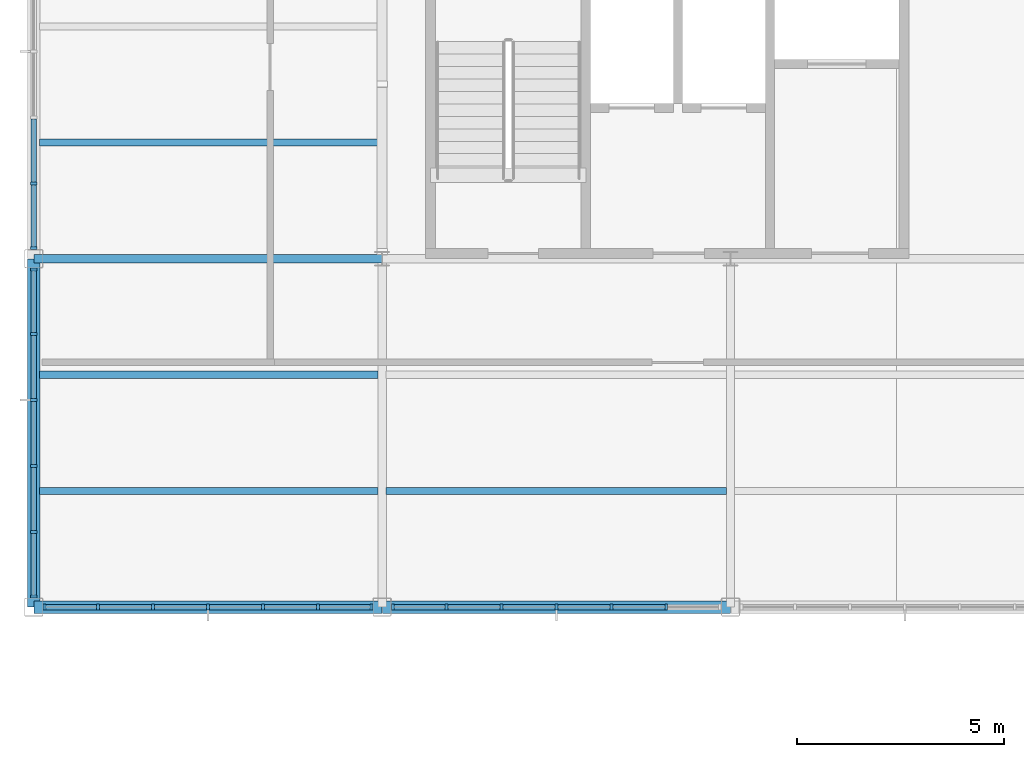
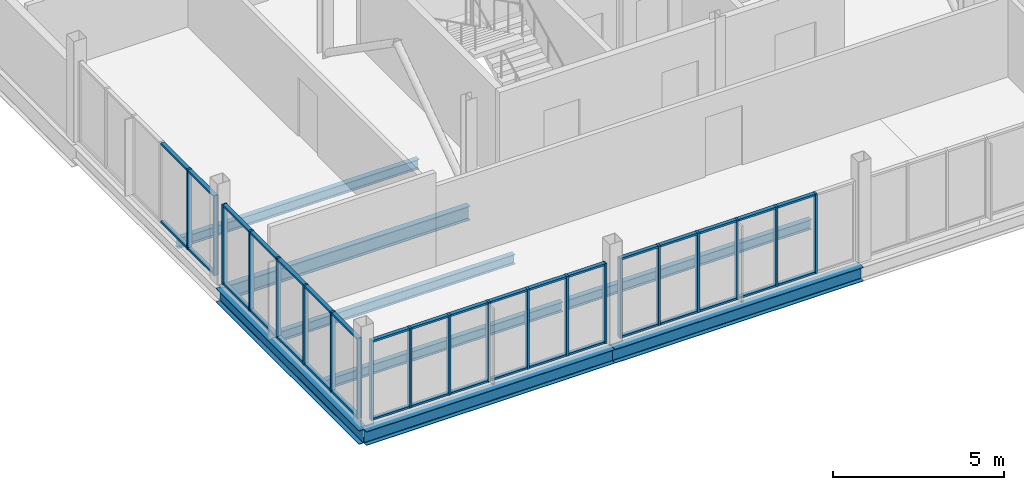
# One storey, part 4 of 16: 57 members, 8 beams, 4 elements without a shape of their own.
"""IFC4 building model written with IfcOpenShell, lengths in metres."""

from ifc_helpers import new_model, si_unit, direction, frame, origin, origin_2d, place, context, subcontext, project, spatial, rectangle, i_section, extrude, material, layer, layer_set, material_profile, profile_set, type_object, element, aggregate, save


model = new_model("IFC4")

# Units and contexts
model_context = context("Model", 3, precision=1e-05, world=origin(), true_north=direction((0.0, 1.0)))
body_context = subcontext(model_context, "Body", "Model", "MODEL_VIEW")
ifc_project = project(units=[si_unit("LENGTHUNIT", "METRE"), si_unit("AREAUNIT", "SQUARE_METRE"), si_unit("VOLUMEUNIT", "CUBIC_METRE"), si_unit("PLANEANGLEUNIT", "RADIAN"), si_unit("MASSUNIT", "GRAM", prefix="KILO")], contexts=[model_context])

# Site, building, storey
site_placement = place(None, origin())
site = spatial("IfcSite", under=ifc_project, at=site_placement, CompositionType="ELEMENT")
building_placement = place(site_placement, origin())
building = spatial("IfcBuilding", under=site, at=building_placement, Name="Yukiwa Park Conservatory and Herbarium", CompositionType="ELEMENT")
storey_placement = place(building_placement, frame((0.0, 0.0, 43.199951171875)))
storey = spatial("IfcBuildingStorey", under=building, at=storey_placement, Name="L11", CompositionType="ELEMENT", Elevation=43.199951171875)

# Beams
ifc_material_1 = material(Name="Steel Q355D", Category="steel")
ifc_material_profile_1 = material_profile(ifc_material_1, i_section(OverallWidth=0.199951171875, OverallDepth=0.5, WebThickness=0.010009765625, FlangeThickness=0.01611328125, FilletRadius=0.02001953125, at=origin_2d()), Name="HN 500x200x10x16")
ifc_profile_set_1 = profile_set([ifc_material_profile_1], Name="Steel Q355D")
beam_type_1 = type_object("IfcBeamType", Name="BM-GRD-HN500", PredefinedType="BEAM", material=ifc_profile_set_1)
beam_1_placement = place(storey_placement, frame((124.805908203125, 94.800048828125, -0.508056640625), z_axis=(1.0, 0.0, 0.0), x_axis=(0.0, 1.0, 0.0)))
element("IfcBeam", 1, at=beam_1_placement, inside=storey, type_object=beam_type_1, Name="L11 grid beam X-8", PredefinedType="BEAM", context=body_context, shape_type="SweptSolid", body=[
    extrude(i_section(OverallWidth=0.199951171875, OverallDepth=0.5, WebThickness=0.010009765625, FlangeThickness=0.01611328125, FilletRadius=0.02001953125, at=origin_2d()), origin(), (0.0, 0.0, 1.0), 8.38818359375),
])
ifc_material_2 = material(Name="Steel Q355D", Category="steel")
ifc_material_profile_2 = material_profile(ifc_material_2, i_section(OverallWidth=0.175048828125, OverallDepth=0.35009765625, WebThickness=0.007080078125, FlangeThickness=0.010986328125, FilletRadius=0.013916015625, at=origin_2d()), Name="HN 350x175x7x11")
ifc_profile_set_2 = profile_set([ifc_material_profile_2], Name="Steel Q355D")
beam_type_2 = type_object("IfcBeamType", Name="BM-JST-HN350", PredefinedType="JOIST", material=ifc_profile_set_2)
for number, where, z_axis, x_axis, name in (
    (2, (124.946044921875, 89.199951171875, -0.432861328125), (1.0, 0.0, 0.0), (0.0, 1.0, 0.0), "L11 composite floor joist 1"),
    (3, (124.946044921875, 92.0, -0.432861328125), (1.0, 0.0, 0.0), (0.0, 1.0, 0.0), "L11 composite floor joist 2"),
    (4, (124.946044921875, 97.60009765625, -0.432861328125), (1.0, 0.0, 0.0), (0.0, 1.0, 0.0), "L11 composite floor joist 3"),
):
    element("IfcBeam", number, at=place(storey_placement, frame(where, z_axis=z_axis, x_axis=x_axis)), inside=storey, type_object=beam_type_2, Name=name, PredefinedType="JOIST", context=body_context, shape_type="SweptSolid", body=[
        extrude(i_section(OverallWidth=0.175048828125, OverallDepth=0.35009765625, WebThickness=0.007080078125, FlangeThickness=0.010986328125, FilletRadius=0.013916015625, at=origin_2d()), origin(), (0.0, 0.0, 1.0), 8.157958984375),
    ])
beam_2_placement = place(storey_placement, frame((133.2958984375, 89.199951171875, -0.432861328125), z_axis=(1.0, 0.0, 0.0), x_axis=(0.0, 1.0, 0.0)))
element("IfcBeam", 5, at=beam_2_placement, inside=storey, type_object=beam_type_2, Name="L11 composite floor joist 7", PredefinedType="JOIST", context=body_context, shape_type="SweptSolid", body=[
    extrude(i_section(OverallWidth=0.175048828125, OverallDepth=0.35009765625, WebThickness=0.007080078125, FlangeThickness=0.010986328125, FilletRadius=0.013916015625, at=origin_2d()), origin(), (0.0, 0.0, 1.0), 8.2080078125),
])
ifc_material_3 = material(Name="Steel Q355D", Category="steel")
ifc_material_profile_3 = material_profile(ifc_material_3, i_section(OverallWidth=0.300048828125, OverallDepth=0.5, WebThickness=0.010986328125, FlangeThickness=0.01806640625, FilletRadius=0.02392578125, at=origin_2d()), Name="HM 500x300x11x18")
ifc_profile_set_3 = profile_set([ifc_material_profile_3], Name="Steel Q355D")
beam_type_3 = type_object("IfcBeamType", Name="BM-SPN-HN500", PredefinedType="SPANDREL", material=ifc_profile_set_3)
beam_3_placement = place(storey_placement, frame((124.805908203125, 86.39990234375, -0.508056640625), z_axis=(1.0, 0.0, 0.0), x_axis=(0.0, 1.0, 0.0)))
element("IfcBeam", 6, at=beam_3_placement, inside=storey, type_object=beam_type_3, Name="L11 spandrel beam X-3", PredefinedType="SPANDREL", context=body_context, shape_type="SweptSolid", body=[
    extrude(i_section(OverallWidth=0.300048828125, OverallDepth=0.5, WebThickness=0.010986328125, FlangeThickness=0.01806640625, FilletRadius=0.02392578125, at=origin_2d()), origin(), (0.0, 0.0, 1.0), 8.38818359375),
])
for number, where, z_axis, x_axis, name in (
    (7, (133.2060546875, 86.39990234375, -0.508056640625), (1.0, 0.0, 0.0), (0.0, 1.0, 0.0), "L11 spandrel beam X-4"),
    (8, (124.800048828125, 86.406005859375, -0.508056640625), (0.0, 1.0, 0.0), (-1.0, 0.0, 0.0), "L11 spandrel girder Y-23"),
):
    element("IfcBeam", number, at=place(storey_placement, frame(where, z_axis=z_axis, x_axis=x_axis)), inside=storey, type_object=beam_type_3, Name=name, PredefinedType="SPANDREL", context=body_context, shape_type="SweptSolid", body=[
        extrude(i_section(OverallWidth=0.300048828125, OverallDepth=0.5, WebThickness=0.010986328125, FlangeThickness=0.01806640625, FilletRadius=0.02392578125, at=origin_2d()), origin(), (0.0, 0.0, 1.0), 8.387939453125),
    ])

# Curtain wall, members
ifc_material_4 = material(Name="Triple Low-E Insulated Glass", Category="glass")
ifc_layer_1 = layer(ifc_material_4, 0.260009765625)
ifc_layer_set_1 = layer_set([ifc_layer_1], Name="Triple Low-E Insulated Glass")
curtain_wall_type_1 = type_object("IfcCurtainWallType", Name="CW-TOWER-LAB-W-1500", PredefinedType="NOTDEFINED", material=ifc_layer_set_1)
curtain_wall_1_placement = place(storey_placement, origin())
curtain_wall_1 = element("IfcCurtainWall", 9, at=curtain_wall_1_placement, inside=storey, type_object=curtain_wall_type_1, Name="L11 unitised curtain wall CW-L11-114", PredefinedType="NOTDEFINED")
ifc_material_5 = material(Name="Anodised Aluminium", Category="aluminium")
member_type_1 = type_object("IfcMemberType", Name="MB-CW-MUL-70X150", PredefinedType="MULLION", material=ifc_material_5)
member_1_placement = place(storey_placement, frame((124.800048828125, 96.614990234375, 0.0), z_axis=(0.0, 0.0, 1.0), x_axis=(0.0, -1.0, 0.0)))
member_1 = element("IfcMember", 10, at=member_1_placement, type_object=member_type_1, Name="CW-L11-114 mullion 5", PredefinedType="MULLION", context=body_context, shape_type="SweptSolid", body=[
    extrude(rectangle(XDim=0.070068359375, YDim=0.14990234375, at=origin_2d()), origin(), (0.0, 0.0, 1.0), 2.85400390625),
])
member_2_placement = place(storey_placement, frame((124.800048828125, 95.06005859375, 0.0), z_axis=(0.0, 0.0, 1.0), x_axis=(0.0, -1.0, 0.0)))
member_2 = element("IfcMember", 11, at=member_2_placement, type_object=member_type_1, Name="CW-L11-114 mullion 6", PredefinedType="MULLION", context=body_context, shape_type="SweptSolid", body=[
    extrude(rectangle(XDim=0.070068359375, YDim=0.14990234375, at=origin_2d()), origin(), (0.0, 0.0, 1.0), 2.85400390625),
])

curtain_wall_2_placement = place(storey_placement, origin())
curtain_wall_2 = element("IfcCurtainWall", 12, at=curtain_wall_2_placement, inside=storey, type_object=curtain_wall_type_1, Name="L11 unitised curtain wall CW-L11-115", PredefinedType="NOTDEFINED")
member_3_placement = place(storey_placement, frame((124.800048828125, 94.5400390625, 0.0), z_axis=(0.0, 0.0, 1.0), x_axis=(0.0, -1.0, 0.0)))
member_3 = element("IfcMember", 13, at=member_3_placement, type_object=member_type_1, Name="CW-L11-115 mullion 1", PredefinedType="MULLION", context=body_context, shape_type="SweptSolid", body=[
    extrude(rectangle(XDim=0.070068359375, YDim=0.14990234375, at=origin_2d()), origin(), (0.0, 0.0, 1.0), 2.85400390625),
])
member_4_placement = place(storey_placement, frame((124.800048828125, 92.985107421875, 0.0), z_axis=(0.0, 0.0, 1.0), x_axis=(0.0, -1.0, 0.0)))
member_4 = element("IfcMember", 14, at=member_4_placement, type_object=member_type_1, Name="CW-L11-115 mullion 2", PredefinedType="MULLION", context=body_context, shape_type="SweptSolid", body=[
    extrude(rectangle(XDim=0.070068359375, YDim=0.14990234375, at=origin_2d()), origin(), (0.0, 0.0, 1.0), 2.85400390625),
])
member_5_placement = place(storey_placement, frame((124.800048828125, 91.39501953125, 0.0), z_axis=(0.0, 0.0, 1.0), x_axis=(0.0, -1.0, 0.0)))
member_5 = element("IfcMember", 15, at=member_5_placement, type_object=member_type_1, Name="CW-L11-115 mullion 3", PredefinedType="MULLION", context=body_context, shape_type="SweptSolid", body=[
    extrude(rectangle(XDim=0.070068359375, YDim=0.14990234375, at=origin_2d()), origin(), (0.0, 0.0, 1.0), 2.85400390625),
])
member_6_placement = place(storey_placement, frame((124.800048828125, 89.804931640625, 0.0), z_axis=(0.0, 0.0, 1.0), x_axis=(0.0, -1.0, 0.0)))
member_6 = element("IfcMember", 16, at=member_6_placement, type_object=member_type_1, Name="CW-L11-115 mullion 4", PredefinedType="MULLION", context=body_context, shape_type="SweptSolid", body=[
    extrude(rectangle(XDim=0.070068359375, YDim=0.14990234375, at=origin_2d()), origin(), (0.0, 0.0, 1.0), 2.85400390625),
])
member_7_placement = place(storey_placement, frame((124.800048828125, 88.215087890625, 0.0), z_axis=(0.0, 0.0, 1.0), x_axis=(0.0, -1.0, 0.0)))
member_7 = element("IfcMember", 17, at=member_7_placement, type_object=member_type_1, Name="CW-L11-115 mullion 5", PredefinedType="MULLION", context=body_context, shape_type="SweptSolid", body=[
    extrude(rectangle(XDim=0.070068359375, YDim=0.14990234375, at=origin_2d()), origin(), (0.0, 0.0, 1.0), 2.85400390625),
])
member_8_placement = place(storey_placement, frame((124.800048828125, 86.659912109375, 0.0), z_axis=(0.0, 0.0, 1.0), x_axis=(0.0, -1.0, 0.0)))
member_8 = element("IfcMember", 18, at=member_8_placement, type_object=member_type_1, Name="CW-L11-115 mullion 6", PredefinedType="MULLION", context=body_context, shape_type="SweptSolid", body=[
    extrude(rectangle(XDim=0.070068359375, YDim=0.14990234375, at=origin_2d()), origin(), (0.0, 0.0, 1.0), 2.85400390625),
])

ifc_material_6 = material(Name="Triple Low-E Insulated Glass", Category="glass")
ifc_layer_2 = layer(ifc_material_6, 0.248046875)
ifc_layer_set_2 = layer_set([ifc_layer_2], Name="Triple Low-E Insulated Glass")
curtain_wall_type_2 = type_object("IfcCurtainWallType", Name="CW-TOWER-LAB-S-1400", PredefinedType="NOTDEFINED", material=ifc_layer_set_2)
curtain_wall_3_placement = place(storey_placement, origin())
curtain_wall_3 = element("IfcCurtainWall", 19, at=curtain_wall_3_placement, inside=storey, type_object=curtain_wall_type_2, Name="L11 unitised curtain wall CW-L11-116", PredefinedType="NOTDEFINED")
member_9_placement = place(storey_placement, frame((125.06005859375, 86.39990234375, 0.0), z_axis=(0.0, 0.0, 1.0), x_axis=(1.0, 0.0, 0.0)))
member_9 = element("IfcMember", 20, at=member_9_placement, type_object=member_type_1, Name="CW-L11-116 mullion 1", PredefinedType="MULLION", context=body_context, shape_type="SweptSolid", body=[
    extrude(rectangle(XDim=0.070068359375, YDim=0.14990234375, at=origin_2d()), origin(), (0.0, 0.0, 1.0), 2.85400390625),
])
member_10_placement = place(storey_placement, frame((126.35009765625, 86.39990234375, 0.0), z_axis=(0.0, 0.0, 1.0), x_axis=(1.0, 0.0, 0.0)))
member_10 = element("IfcMember", 21, at=member_10_placement, type_object=member_type_1, Name="CW-L11-116 mullion 2", PredefinedType="MULLION", context=body_context, shape_type="SweptSolid", body=[
    extrude(rectangle(XDim=0.070068359375, YDim=0.14990234375, at=origin_2d()), origin(), (0.0, 0.0, 1.0), 2.85400390625),
])
member_11_placement = place(storey_placement, frame((127.675048828125, 86.39990234375, 0.0), z_axis=(0.0, 0.0, 1.0), x_axis=(1.0, 0.0, 0.0)))
member_11 = element("IfcMember", 22, at=member_11_placement, type_object=member_type_1, Name="CW-L11-116 mullion 3", PredefinedType="MULLION", context=body_context, shape_type="SweptSolid", body=[
    extrude(rectangle(XDim=0.070068359375, YDim=0.14990234375, at=origin_2d()), origin(), (0.0, 0.0, 1.0), 2.85400390625),
])
member_12_placement = place(storey_placement, frame((129.0, 86.39990234375, 0.0), z_axis=(0.0, 0.0, 1.0), x_axis=(1.0, 0.0, 0.0)))
member_12 = element("IfcMember", 23, at=member_12_placement, type_object=member_type_1, Name="CW-L11-116 mullion 4", PredefinedType="MULLION", context=body_context, shape_type="SweptSolid", body=[
    extrude(rectangle(XDim=0.070068359375, YDim=0.14990234375, at=origin_2d()), origin(), (0.0, 0.0, 1.0), 2.85400390625),
])
member_13_placement = place(storey_placement, frame((130.324951171875, 86.39990234375, 0.0), z_axis=(0.0, 0.0, 1.0), x_axis=(1.0, 0.0, 0.0)))
member_13 = element("IfcMember", 24, at=member_13_placement, type_object=member_type_1, Name="CW-L11-116 mullion 5", PredefinedType="MULLION", context=body_context, shape_type="SweptSolid", body=[
    extrude(rectangle(XDim=0.070068359375, YDim=0.14990234375, at=origin_2d()), origin(), (0.0, 0.0, 1.0), 2.85400390625),
])
member_14_placement = place(storey_placement, frame((131.64990234375, 86.39990234375, 0.0), z_axis=(0.0, 0.0, 1.0), x_axis=(1.0, 0.0, 0.0)))
member_14 = element("IfcMember", 25, at=member_14_placement, type_object=member_type_1, Name="CW-L11-116 mullion 6", PredefinedType="MULLION", context=body_context, shape_type="SweptSolid", body=[
    extrude(rectangle(XDim=0.070068359375, YDim=0.14990234375, at=origin_2d()), origin(), (0.0, 0.0, 1.0), 2.85400390625),
])
member_15_placement = place(storey_placement, frame((132.93994140625, 86.39990234375, 0.0), z_axis=(0.0, 0.0, 1.0), x_axis=(1.0, 0.0, 0.0)))
member_15 = element("IfcMember", 26, at=member_15_placement, type_object=member_type_1, Name="CW-L11-116 mullion 7", PredefinedType="MULLION", context=body_context, shape_type="SweptSolid", body=[
    extrude(rectangle(XDim=0.070068359375, YDim=0.14990234375, at=origin_2d()), origin(), (0.0, 0.0, 1.0), 2.85400390625),
])

curtain_wall_4_placement = place(storey_placement, origin())
curtain_wall_4 = element("IfcCurtainWall", 27, at=curtain_wall_4_placement, inside=storey, type_object=curtain_wall_type_2, Name="L11 unitised curtain wall CW-L11-117", PredefinedType="NOTDEFINED")
member_16_placement = place(storey_placement, frame((133.4599609375, 86.39990234375, 0.0), z_axis=(0.0, 0.0, 1.0), x_axis=(1.0, 0.0, 0.0)))
member_16 = element("IfcMember", 28, at=member_16_placement, type_object=member_type_1, Name="CW-L11-117 mullion 1", PredefinedType="MULLION", context=body_context, shape_type="SweptSolid", body=[
    extrude(rectangle(XDim=0.070068359375, YDim=0.14990234375, at=origin_2d()), origin(), (0.0, 0.0, 1.0), 2.85400390625),
])
member_17_placement = place(storey_placement, frame((134.75, 86.39990234375, 0.0), z_axis=(0.0, 0.0, 1.0), x_axis=(1.0, 0.0, 0.0)))
member_17 = element("IfcMember", 29, at=member_17_placement, type_object=member_type_1, Name="CW-L11-117 mullion 2", PredefinedType="MULLION", context=body_context, shape_type="SweptSolid", body=[
    extrude(rectangle(XDim=0.070068359375, YDim=0.14990234375, at=origin_2d()), origin(), (0.0, 0.0, 1.0), 2.85400390625),
])
member_18_placement = place(storey_placement, frame((136.074951171875, 86.39990234375, 0.0), z_axis=(0.0, 0.0, 1.0), x_axis=(1.0, 0.0, 0.0)))
member_18 = element("IfcMember", 30, at=member_18_placement, type_object=member_type_1, Name="CW-L11-117 mullion 3", PredefinedType="MULLION", context=body_context, shape_type="SweptSolid", body=[
    extrude(rectangle(XDim=0.070068359375, YDim=0.14990234375, at=origin_2d()), origin(), (0.0, 0.0, 1.0), 2.85400390625),
])
member_19_placement = place(storey_placement, frame((137.39990234375, 86.39990234375, 0.0), z_axis=(0.0, 0.0, 1.0), x_axis=(1.0, 0.0, 0.0)))
member_19 = element("IfcMember", 31, at=member_19_placement, type_object=member_type_1, Name="CW-L11-117 mullion 4", PredefinedType="MULLION", context=body_context, shape_type="SweptSolid", body=[
    extrude(rectangle(XDim=0.070068359375, YDim=0.14990234375, at=origin_2d()), origin(), (0.0, 0.0, 1.0), 2.85400390625),
])
member_20_placement = place(storey_placement, frame((138.72509765625, 86.39990234375, 0.0), z_axis=(0.0, 0.0, 1.0), x_axis=(1.0, 0.0, 0.0)))
member_20 = element("IfcMember", 32, at=member_20_placement, type_object=member_type_1, Name="CW-L11-117 mullion 5", PredefinedType="MULLION", context=body_context, shape_type="SweptSolid", body=[
    extrude(rectangle(XDim=0.070068359375, YDim=0.14990234375, at=origin_2d()), origin(), (0.0, 0.0, 1.0), 2.85400390625),
])
member_21_placement = place(storey_placement, frame((140.050048828125, 86.39990234375, 0.0), z_axis=(0.0, 0.0, 1.0), x_axis=(1.0, 0.0, 0.0)))
member_21 = element("IfcMember", 33, at=member_21_placement, type_object=member_type_1, Name="CW-L11-117 mullion 6", PredefinedType="MULLION", context=body_context, shape_type="SweptSolid", body=[
    extrude(rectangle(XDim=0.070068359375, YDim=0.14990234375, at=origin_2d()), origin(), (0.0, 0.0, 1.0), 2.85400390625),
])

# Member
ifc_material_7 = material(Name="Anodised Aluminium", Category="aluminium")
member_type_2 = type_object("IfcMemberType", Name="MB-CW-TRN-70X130", PredefinedType="USERDEFINED", material=ifc_material_7)
member_22_placement = place(storey_placement, frame((124.800048828125, 97.409912109375, 0.0), z_axis=(0.0, 0.0, 1.0), x_axis=(0.0, -1.0, 0.0)))
member_22 = element("IfcMember", 34, at=member_22_placement, type_object=member_type_2, Name="CW-L11-114 transom 4.1", ObjectType="TRANSOM", PredefinedType="USERDEFINED", context=body_context, shape_type="SweptSolid", body=[
    extrude(rectangle(XDim=1.52001953125, YDim=0.1298828125, at=origin_2d()), origin(), (0.0, 0.0, 1.0), 0.070068359375),
])

member_23_placement = place(storey_placement, frame((124.800048828125, 97.409912109375, 2.7841796875), z_axis=(0.0, 0.0, 1.0), x_axis=(0.0, -1.0, 0.0)))
member_23 = element("IfcMember", 35, at=member_23_placement, type_object=member_type_2, Name="CW-L11-114 transom 4.2", ObjectType="TRANSOM", PredefinedType="USERDEFINED", context=body_context, shape_type="SweptSolid", body=[
    extrude(rectangle(XDim=1.52001953125, YDim=0.1298828125, at=origin_2d()), origin(), (0.0, 0.0, 1.0), 0.070068359375),
])

member_24_placement = place(storey_placement, frame((124.800048828125, 95.820068359375, 0.0), z_axis=(0.0, 0.0, 1.0), x_axis=(0.0, -1.0, 0.0)))
member_24 = element("IfcMember", 36, at=member_24_placement, type_object=member_type_2, Name="CW-L11-114 transom 5.1", ObjectType="TRANSOM", PredefinedType="USERDEFINED", context=body_context, shape_type="SweptSolid", body=[
    extrude(rectangle(XDim=1.52001953125, YDim=0.1298828125, at=origin_2d()), origin(), (0.0, 0.0, 1.0), 0.070068359375),
])

member_25_placement = place(storey_placement, frame((124.800048828125, 95.820068359375, 2.7841796875), z_axis=(0.0, 0.0, 1.0), x_axis=(0.0, -1.0, 0.0)))
member_25 = element("IfcMember", 37, at=member_25_placement, type_object=member_type_2, Name="CW-L11-114 transom 5.2", ObjectType="TRANSOM", PredefinedType="USERDEFINED", context=body_context, shape_type="SweptSolid", body=[
    extrude(rectangle(XDim=1.52001953125, YDim=0.1298828125, at=origin_2d()), origin(), (0.0, 0.0, 1.0), 0.070068359375),
])

aggregate(curtain_wall_1, [member_1, member_2, member_22, member_23, member_24, member_25])

member_26_placement = place(storey_placement, frame((124.800048828125, 93.780029296875, 0.0), z_axis=(0.0, 0.0, 1.0), x_axis=(0.0, -1.0, 0.0)))
member_26 = element("IfcMember", 38, at=member_26_placement, type_object=member_type_2, Name="CW-L11-115 transom 1.1", ObjectType="TRANSOM", PredefinedType="USERDEFINED", context=body_context, shape_type="SweptSolid", body=[
    extrude(rectangle(XDim=1.52001953125, YDim=0.1298828125, at=origin_2d()), origin(), (0.0, 0.0, 1.0), 0.070068359375),
])

member_27_placement = place(storey_placement, frame((124.800048828125, 93.780029296875, 2.7841796875), z_axis=(0.0, 0.0, 1.0), x_axis=(0.0, -1.0, 0.0)))
member_27 = element("IfcMember", 39, at=member_27_placement, type_object=member_type_2, Name="CW-L11-115 transom 1.2", ObjectType="TRANSOM", PredefinedType="USERDEFINED", context=body_context, shape_type="SweptSolid", body=[
    extrude(rectangle(XDim=1.52001953125, YDim=0.1298828125, at=origin_2d()), origin(), (0.0, 0.0, 1.0), 0.070068359375),
])

member_28_placement = place(storey_placement, frame((124.800048828125, 92.18994140625, 0.0), z_axis=(0.0, 0.0, 1.0), x_axis=(0.0, -1.0, 0.0)))
member_28 = element("IfcMember", 40, at=member_28_placement, type_object=member_type_2, Name="CW-L11-115 transom 2.1", ObjectType="TRANSOM", PredefinedType="USERDEFINED", context=body_context, shape_type="SweptSolid", body=[
    extrude(rectangle(XDim=1.52001953125, YDim=0.1298828125, at=origin_2d()), origin(), (0.0, 0.0, 1.0), 0.070068359375),
])

member_29_placement = place(storey_placement, frame((124.800048828125, 92.18994140625, 2.7841796875), z_axis=(0.0, 0.0, 1.0), x_axis=(0.0, -1.0, 0.0)))
member_29 = element("IfcMember", 41, at=member_29_placement, type_object=member_type_2, Name="CW-L11-115 transom 2.2", ObjectType="TRANSOM", PredefinedType="USERDEFINED", context=body_context, shape_type="SweptSolid", body=[
    extrude(rectangle(XDim=1.52001953125, YDim=0.1298828125, at=origin_2d()), origin(), (0.0, 0.0, 1.0), 0.070068359375),
])

member_30_placement = place(storey_placement, frame((124.800048828125, 90.60009765625, 0.0), z_axis=(0.0, 0.0, 1.0), x_axis=(0.0, -1.0, 0.0)))
member_30 = element("IfcMember", 42, at=member_30_placement, type_object=member_type_2, Name="CW-L11-115 transom 3.1", ObjectType="TRANSOM", PredefinedType="USERDEFINED", context=body_context, shape_type="SweptSolid", body=[
    extrude(rectangle(XDim=1.52001953125, YDim=0.1298828125, at=origin_2d()), origin(), (0.0, 0.0, 1.0), 0.070068359375),
])

member_31_placement = place(storey_placement, frame((124.800048828125, 90.60009765625, 2.7841796875), z_axis=(0.0, 0.0, 1.0), x_axis=(0.0, -1.0, 0.0)))
member_31 = element("IfcMember", 43, at=member_31_placement, type_object=member_type_2, Name="CW-L11-115 transom 3.2", ObjectType="TRANSOM", PredefinedType="USERDEFINED", context=body_context, shape_type="SweptSolid", body=[
    extrude(rectangle(XDim=1.52001953125, YDim=0.1298828125, at=origin_2d()), origin(), (0.0, 0.0, 1.0), 0.070068359375),
])

member_32_placement = place(storey_placement, frame((124.800048828125, 89.010009765625, 0.0), z_axis=(0.0, 0.0, 1.0), x_axis=(0.0, -1.0, 0.0)))
member_32 = element("IfcMember", 44, at=member_32_placement, type_object=member_type_2, Name="CW-L11-115 transom 4.1", ObjectType="TRANSOM", PredefinedType="USERDEFINED", context=body_context, shape_type="SweptSolid", body=[
    extrude(rectangle(XDim=1.52001953125, YDim=0.1298828125, at=origin_2d()), origin(), (0.0, 0.0, 1.0), 0.070068359375),
])

member_33_placement = place(storey_placement, frame((124.800048828125, 89.010009765625, 2.7841796875), z_axis=(0.0, 0.0, 1.0), x_axis=(0.0, -1.0, 0.0)))
member_33 = element("IfcMember", 45, at=member_33_placement, type_object=member_type_2, Name="CW-L11-115 transom 4.2", ObjectType="TRANSOM", PredefinedType="USERDEFINED", context=body_context, shape_type="SweptSolid", body=[
    extrude(rectangle(XDim=1.52001953125, YDim=0.1298828125, at=origin_2d()), origin(), (0.0, 0.0, 1.0), 0.070068359375),
])

member_34_placement = place(storey_placement, frame((124.800048828125, 87.419921875, 0.0), z_axis=(0.0, 0.0, 1.0), x_axis=(0.0, -1.0, 0.0)))
member_34 = element("IfcMember", 46, at=member_34_placement, type_object=member_type_2, Name="CW-L11-115 transom 5.1", ObjectType="TRANSOM", PredefinedType="USERDEFINED", context=body_context, shape_type="SweptSolid", body=[
    extrude(rectangle(XDim=1.52001953125, YDim=0.1298828125, at=origin_2d()), origin(), (0.0, 0.0, 1.0), 0.070068359375),
])

member_35_placement = place(storey_placement, frame((124.800048828125, 87.419921875, 2.7841796875), z_axis=(0.0, 0.0, 1.0), x_axis=(0.0, -1.0, 0.0)))
member_35 = element("IfcMember", 47, at=member_35_placement, type_object=member_type_2, Name="CW-L11-115 transom 5.2", ObjectType="TRANSOM", PredefinedType="USERDEFINED", context=body_context, shape_type="SweptSolid", body=[
    extrude(rectangle(XDim=1.52001953125, YDim=0.1298828125, at=origin_2d()), origin(), (0.0, 0.0, 1.0), 0.070068359375),
])

aggregate(curtain_wall_2, [member_3, member_4, member_5, member_6, member_7, member_8, member_26, member_27, member_28, member_29, member_30, member_31, member_32, member_33, member_34, member_35])

member_36_placement = place(storey_placement, frame((125.6875, 86.39990234375, 0.0), z_axis=(0.0, 0.0, 1.0), x_axis=(1.0, 0.0, 0.0)))
member_36 = element("IfcMember", 48, at=member_36_placement, type_object=member_type_2, Name="CW-L11-116 transom 1.1", ObjectType="TRANSOM", PredefinedType="USERDEFINED", context=body_context, shape_type="SweptSolid", body=[
    extrude(rectangle(XDim=1.2548828125, YDim=0.1298828125, at=origin_2d()), origin(), (0.0, 0.0, 1.0), 0.070068359375),
])

member_37_placement = place(storey_placement, frame((125.6875, 86.39990234375, 2.7841796875), z_axis=(0.0, 0.0, 1.0), x_axis=(1.0, 0.0, 0.0)))
member_37 = element("IfcMember", 49, at=member_37_placement, type_object=member_type_2, Name="CW-L11-116 transom 1.2", ObjectType="TRANSOM", PredefinedType="USERDEFINED", context=body_context, shape_type="SweptSolid", body=[
    extrude(rectangle(XDim=1.2548828125, YDim=0.1298828125, at=origin_2d()), origin(), (0.0, 0.0, 1.0), 0.070068359375),
])

member_38_placement = place(storey_placement, frame((127.012451171875, 86.39990234375, 0.0), z_axis=(0.0, 0.0, 1.0), x_axis=(1.0, 0.0, 0.0)))
member_38 = element("IfcMember", 50, at=member_38_placement, type_object=member_type_2, Name="CW-L11-116 transom 2.1", ObjectType="TRANSOM", PredefinedType="USERDEFINED", context=body_context, shape_type="SweptSolid", body=[
    extrude(rectangle(XDim=1.2548828125, YDim=0.1298828125, at=origin_2d()), origin(), (0.0, 0.0, 1.0), 0.070068359375),
])

member_39_placement = place(storey_placement, frame((127.012451171875, 86.39990234375, 2.7841796875), z_axis=(0.0, 0.0, 1.0), x_axis=(1.0, 0.0, 0.0)))
member_39 = element("IfcMember", 51, at=member_39_placement, type_object=member_type_2, Name="CW-L11-116 transom 2.2", ObjectType="TRANSOM", PredefinedType="USERDEFINED", context=body_context, shape_type="SweptSolid", body=[
    extrude(rectangle(XDim=1.2548828125, YDim=0.1298828125, at=origin_2d()), origin(), (0.0, 0.0, 1.0), 0.070068359375),
])

member_40_placement = place(storey_placement, frame((128.33740234375, 86.39990234375, 0.0), z_axis=(0.0, 0.0, 1.0), x_axis=(1.0, 0.0, 0.0)))
member_40 = element("IfcMember", 52, at=member_40_placement, type_object=member_type_2, Name="CW-L11-116 transom 3.1", ObjectType="TRANSOM", PredefinedType="USERDEFINED", context=body_context, shape_type="SweptSolid", body=[
    extrude(rectangle(XDim=1.2548828125, YDim=0.1298828125, at=origin_2d()), origin(), (0.0, 0.0, 1.0), 0.070068359375),
])

member_41_placement = place(storey_placement, frame((128.33740234375, 86.39990234375, 2.7841796875), z_axis=(0.0, 0.0, 1.0), x_axis=(1.0, 0.0, 0.0)))
member_41 = element("IfcMember", 53, at=member_41_placement, type_object=member_type_2, Name="CW-L11-116 transom 3.2", ObjectType="TRANSOM", PredefinedType="USERDEFINED", context=body_context, shape_type="SweptSolid", body=[
    extrude(rectangle(XDim=1.2548828125, YDim=0.1298828125, at=origin_2d()), origin(), (0.0, 0.0, 1.0), 0.070068359375),
])

member_42_placement = place(storey_placement, frame((129.66259765625, 86.39990234375, 0.0), z_axis=(0.0, 0.0, 1.0), x_axis=(1.0, 0.0, 0.0)))
member_42 = element("IfcMember", 54, at=member_42_placement, type_object=member_type_2, Name="CW-L11-116 transom 4.1", ObjectType="TRANSOM", PredefinedType="USERDEFINED", context=body_context, shape_type="SweptSolid", body=[
    extrude(rectangle(XDim=1.2548828125, YDim=0.1298828125, at=origin_2d()), origin(), (0.0, 0.0, 1.0), 0.070068359375),
])

member_43_placement = place(storey_placement, frame((129.66259765625, 86.39990234375, 2.7841796875), z_axis=(0.0, 0.0, 1.0), x_axis=(1.0, 0.0, 0.0)))
member_43 = element("IfcMember", 55, at=member_43_placement, type_object=member_type_2, Name="CW-L11-116 transom 4.2", ObjectType="TRANSOM", PredefinedType="USERDEFINED", context=body_context, shape_type="SweptSolid", body=[
    extrude(rectangle(XDim=1.2548828125, YDim=0.1298828125, at=origin_2d()), origin(), (0.0, 0.0, 1.0), 0.070068359375),
])

member_44_placement = place(storey_placement, frame((130.987548828125, 86.39990234375, 0.0), z_axis=(0.0, 0.0, 1.0), x_axis=(1.0, 0.0, 0.0)))
member_44 = element("IfcMember", 56, at=member_44_placement, type_object=member_type_2, Name="CW-L11-116 transom 5.1", ObjectType="TRANSOM", PredefinedType="USERDEFINED", context=body_context, shape_type="SweptSolid", body=[
    extrude(rectangle(XDim=1.2548828125, YDim=0.1298828125, at=origin_2d()), origin(), (0.0, 0.0, 1.0), 0.070068359375),
])

member_45_placement = place(storey_placement, frame((130.987548828125, 86.39990234375, 2.7841796875), z_axis=(0.0, 0.0, 1.0), x_axis=(1.0, 0.0, 0.0)))
member_45 = element("IfcMember", 57, at=member_45_placement, type_object=member_type_2, Name="CW-L11-116 transom 5.2", ObjectType="TRANSOM", PredefinedType="USERDEFINED", context=body_context, shape_type="SweptSolid", body=[
    extrude(rectangle(XDim=1.2548828125, YDim=0.1298828125, at=origin_2d()), origin(), (0.0, 0.0, 1.0), 0.070068359375),
])

member_46_placement = place(storey_placement, frame((132.3125, 86.39990234375, 0.0), z_axis=(0.0, 0.0, 1.0), x_axis=(1.0, 0.0, 0.0)))
member_46 = element("IfcMember", 58, at=member_46_placement, type_object=member_type_2, Name="CW-L11-116 transom 6.1", ObjectType="TRANSOM", PredefinedType="USERDEFINED", context=body_context, shape_type="SweptSolid", body=[
    extrude(rectangle(XDim=1.2548828125, YDim=0.1298828125, at=origin_2d()), origin(), (0.0, 0.0, 1.0), 0.070068359375),
])

member_47_placement = place(storey_placement, frame((132.3125, 86.39990234375, 2.7841796875), z_axis=(0.0, 0.0, 1.0), x_axis=(1.0, 0.0, 0.0)))
member_47 = element("IfcMember", 59, at=member_47_placement, type_object=member_type_2, Name="CW-L11-116 transom 6.2", ObjectType="TRANSOM", PredefinedType="USERDEFINED", context=body_context, shape_type="SweptSolid", body=[
    extrude(rectangle(XDim=1.2548828125, YDim=0.1298828125, at=origin_2d()), origin(), (0.0, 0.0, 1.0), 0.070068359375),
])

aggregate(curtain_wall_3, [member_9, member_10, member_11, member_12, member_13, member_14, member_15, member_36, member_37, member_38, member_39, member_40, member_41, member_42, member_43, member_44, member_45, member_46, member_47])

member_48_placement = place(storey_placement, frame((134.08740234375, 86.39990234375, 0.0), z_axis=(0.0, 0.0, 1.0), x_axis=(1.0, 0.0, 0.0)))
member_48 = element("IfcMember", 60, at=member_48_placement, type_object=member_type_2, Name="CW-L11-117 transom 1.1", ObjectType="TRANSOM", PredefinedType="USERDEFINED", context=body_context, shape_type="SweptSolid", body=[
    extrude(rectangle(XDim=1.2548828125, YDim=0.1298828125, at=origin_2d()), origin(), (0.0, 0.0, 1.0), 0.070068359375),
])

member_49_placement = place(storey_placement, frame((134.08740234375, 86.39990234375, 2.7841796875), z_axis=(0.0, 0.0, 1.0), x_axis=(1.0, 0.0, 0.0)))
member_49 = element("IfcMember", 61, at=member_49_placement, type_object=member_type_2, Name="CW-L11-117 transom 1.2", ObjectType="TRANSOM", PredefinedType="USERDEFINED", context=body_context, shape_type="SweptSolid", body=[
    extrude(rectangle(XDim=1.2548828125, YDim=0.1298828125, at=origin_2d()), origin(), (0.0, 0.0, 1.0), 0.070068359375),
])

member_50_placement = place(storey_placement, frame((135.41259765625, 86.39990234375, 0.0), z_axis=(0.0, 0.0, 1.0), x_axis=(1.0, 0.0, 0.0)))
member_50 = element("IfcMember", 62, at=member_50_placement, type_object=member_type_2, Name="CW-L11-117 transom 2.1", ObjectType="TRANSOM", PredefinedType="USERDEFINED", context=body_context, shape_type="SweptSolid", body=[
    extrude(rectangle(XDim=1.2548828125, YDim=0.1298828125, at=origin_2d()), origin(), (0.0, 0.0, 1.0), 0.070068359375),
])

member_51_placement = place(storey_placement, frame((135.41259765625, 86.39990234375, 2.7841796875), z_axis=(0.0, 0.0, 1.0), x_axis=(1.0, 0.0, 0.0)))
member_51 = element("IfcMember", 63, at=member_51_placement, type_object=member_type_2, Name="CW-L11-117 transom 2.2", ObjectType="TRANSOM", PredefinedType="USERDEFINED", context=body_context, shape_type="SweptSolid", body=[
    extrude(rectangle(XDim=1.2548828125, YDim=0.1298828125, at=origin_2d()), origin(), (0.0, 0.0, 1.0), 0.070068359375),
])

member_52_placement = place(storey_placement, frame((136.737548828125, 86.39990234375, 0.0), z_axis=(0.0, 0.0, 1.0), x_axis=(1.0, 0.0, 0.0)))
member_52 = element("IfcMember", 64, at=member_52_placement, type_object=member_type_2, Name="CW-L11-117 transom 3.1", ObjectType="TRANSOM", PredefinedType="USERDEFINED", context=body_context, shape_type="SweptSolid", body=[
    extrude(rectangle(XDim=1.2548828125, YDim=0.1298828125, at=origin_2d()), origin(), (0.0, 0.0, 1.0), 0.070068359375),
])

member_53_placement = place(storey_placement, frame((136.737548828125, 86.39990234375, 2.7841796875), z_axis=(0.0, 0.0, 1.0), x_axis=(1.0, 0.0, 0.0)))
member_53 = element("IfcMember", 65, at=member_53_placement, type_object=member_type_2, Name="CW-L11-117 transom 3.2", ObjectType="TRANSOM", PredefinedType="USERDEFINED", context=body_context, shape_type="SweptSolid", body=[
    extrude(rectangle(XDim=1.2548828125, YDim=0.1298828125, at=origin_2d()), origin(), (0.0, 0.0, 1.0), 0.070068359375),
])

member_54_placement = place(storey_placement, frame((138.0625, 86.39990234375, 0.0), z_axis=(0.0, 0.0, 1.0), x_axis=(1.0, 0.0, 0.0)))
member_54 = element("IfcMember", 66, at=member_54_placement, type_object=member_type_2, Name="CW-L11-117 transom 4.1", ObjectType="TRANSOM", PredefinedType="USERDEFINED", context=body_context, shape_type="SweptSolid", body=[
    extrude(rectangle(XDim=1.2548828125, YDim=0.1298828125, at=origin_2d()), origin(), (0.0, 0.0, 1.0), 0.070068359375),
])

member_55_placement = place(storey_placement, frame((138.0625, 86.39990234375, 2.7841796875), z_axis=(0.0, 0.0, 1.0), x_axis=(1.0, 0.0, 0.0)))
member_55 = element("IfcMember", 67, at=member_55_placement, type_object=member_type_2, Name="CW-L11-117 transom 4.2", ObjectType="TRANSOM", PredefinedType="USERDEFINED", context=body_context, shape_type="SweptSolid", body=[
    extrude(rectangle(XDim=1.2548828125, YDim=0.1298828125, at=origin_2d()), origin(), (0.0, 0.0, 1.0), 0.070068359375),
])

member_56_placement = place(storey_placement, frame((139.387451171875, 86.39990234375, 0.0), z_axis=(0.0, 0.0, 1.0), x_axis=(1.0, 0.0, 0.0)))
member_56 = element("IfcMember", 68, at=member_56_placement, type_object=member_type_2, Name="CW-L11-117 transom 5.1", ObjectType="TRANSOM", PredefinedType="USERDEFINED", context=body_context, shape_type="SweptSolid", body=[
    extrude(rectangle(XDim=1.2548828125, YDim=0.1298828125, at=origin_2d()), origin(), (0.0, 0.0, 1.0), 0.070068359375),
])

member_57_placement = place(storey_placement, frame((139.387451171875, 86.39990234375, 2.7841796875), z_axis=(0.0, 0.0, 1.0), x_axis=(1.0, 0.0, 0.0)))
member_57 = element("IfcMember", 69, at=member_57_placement, type_object=member_type_2, Name="CW-L11-117 transom 5.2", ObjectType="TRANSOM", PredefinedType="USERDEFINED", context=body_context, shape_type="SweptSolid", body=[
    extrude(rectangle(XDim=1.2548828125, YDim=0.1298828125, at=origin_2d()), origin(), (0.0, 0.0, 1.0), 0.070068359375),
])

aggregate(curtain_wall_4, [member_16, member_17, member_18, member_19, member_20, member_21, member_48, member_49, member_50, member_51, member_52, member_53, member_54, member_55, member_56, member_57])

save(model, "model.ifc")
